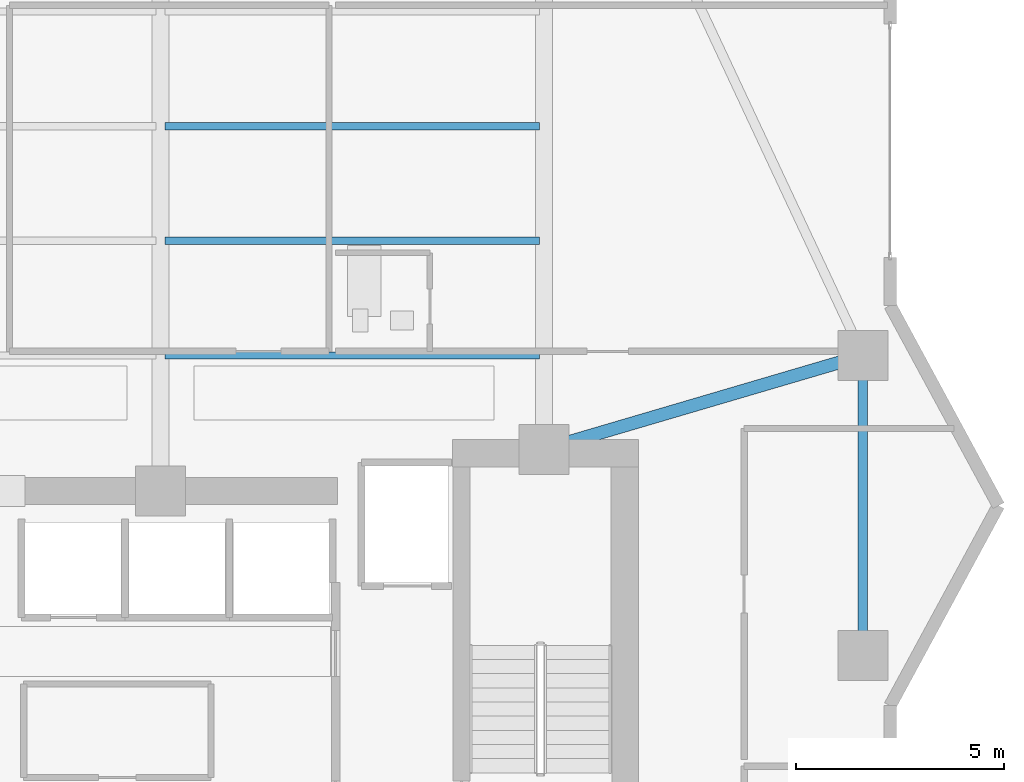
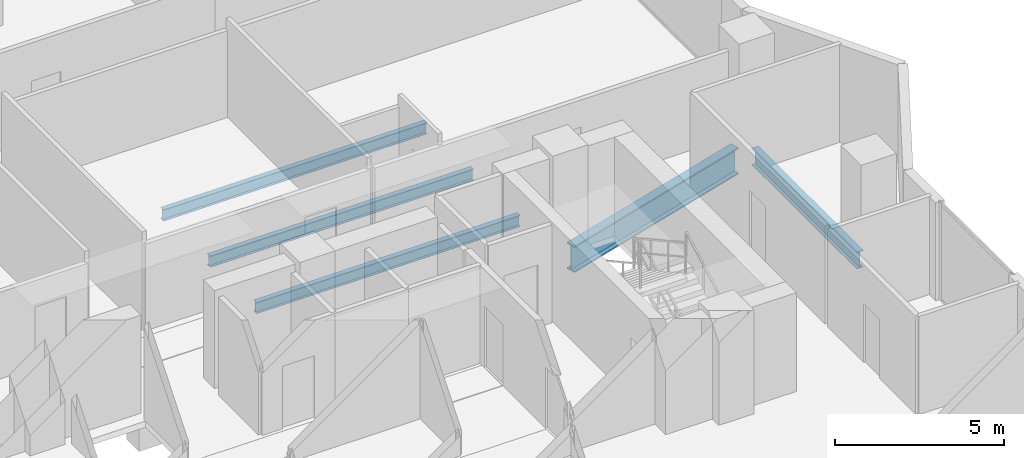
# One storey, part 14 of 32: 5 beams.
"""IFC4 building model written with IfcOpenShell, lengths in metres."""

from ifc_helpers import new_model, si_unit, direction, frame, origin, origin_2d, place, context, subcontext, project, spatial, i_section, extrude, material, material_profile, profile_set, type_object, element, save


model = new_model("IFC4")

# Units and contexts
model_context = context("Model", 3, precision=1e-05, world=origin(), true_north=direction((0.0, 1.0)))
body_context = subcontext(model_context, "Body", "Model", "MODEL_VIEW")
ifc_project = project(units=[si_unit("LENGTHUNIT", "METRE"), si_unit("AREAUNIT", "SQUARE_METRE"), si_unit("VOLUMEUNIT", "CUBIC_METRE"), si_unit("PLANEANGLEUNIT", "RADIAN"), si_unit("MASSUNIT", "GRAM", prefix="KILO")], contexts=[model_context])

# Site, building, storey
site_placement = place(None, origin())
site = spatial("IfcSite", under=ifc_project, at=site_placement, CompositionType="ELEMENT")
building_placement = place(site_placement, origin())
building = spatial("IfcBuilding", under=site, at=building_placement, Name="Zuhayl Quay Hotel", CompositionType="ELEMENT")
storey_placement = place(building_placement, frame((0.0, 0.0, 218.64990234375)))
storey = spatial("IfcBuildingStorey", under=building, at=storey_placement, Name="L55", CompositionType="ELEMENT", Elevation=218.64990234375)

# Beams
ifc_material = material(Name="Steel ASTM A992 Grade 50", Category="steel")
ifc_material_profile_1 = material_profile(ifc_material, i_section(OverallWidth=0.22802734375, OverallDepth=0.60693359375, WebThickness=0.01123046875, FlangeThickness=0.017333984375, at=origin_2d()), Name="W24X76")
ifc_profile_set_1 = profile_set([ifc_material_profile_1], Name="Steel ASTM A992 Grade 50")
beam_type_1 = type_object("IfcBeamType", Name="BM_B3_W24X76", PredefinedType="BEAM", material=ifc_profile_set_1)
beam_1_placement = place(storey_placement, frame((21.449951171875, 9.89990234375, -0.5234375), z_axis=(0.0, 1.0, 0.0), x_axis=(-1.0, 0.0, 0.0)))
element("IfcBeam", 1, at=beam_1_placement, inside=storey, type_object=beam_type_1, Name="L55 Floor Beam RG_L55_05", PredefinedType="BEAM", context=body_context, shape_type="SweptSolid", body=[
    extrude(i_section(OverallWidth=0.22802734375, OverallDepth=0.60693359375, WebThickness=0.01123046875, FlangeThickness=0.017333984375, at=origin_2d()), origin(), (0.0, 0.0, 1.0), 6.2001953125),
])
ifc_material_profile_2 = material_profile(ifc_material, i_section(OverallWidth=0.177978515625, OverallDepth=0.406005859375, WebThickness=0.0078125, FlangeThickness=0.0126953125, at=origin_2d()), Name="W16X40")
ifc_profile_set_2 = profile_set([ifc_material_profile_2], Name="Steel ASTM A992 Grade 50")
beam_type_2 = type_object("IfcBeamType", Name="BM_J2B_W16X40", PredefinedType="JOIST", material=ifc_profile_set_2)
for number, where, z_axis, x_axis, name in (
    (2, (4.7060546875, 16.60009765625, -0.4228515625), (1.0, 0.0, 0.0), (0.0, 1.0, 0.0), "L55 Floor Beam FJ_L55_1_3"),
    (3, (4.7060546875, 19.35009765625, -0.4228515625), (1.0, 0.0, 0.0), (0.0, 1.0, 0.0), "L55 Floor Beam FJ_L55_2_3"),
    (4, (4.7060546875, 22.10009765625, -0.4228515625), (1.0, 0.0, 0.0), (0.0, 1.0, 0.0), "L55 Floor Beam FJ_L55_3_3"),
):
    element("IfcBeam", number, at=place(storey_placement, frame(where, z_axis=z_axis, x_axis=x_axis)), inside=storey, type_object=beam_type_2, Name=name, PredefinedType="JOIST", context=body_context, shape_type="SweptSolid", body=[
        extrude(i_section(OverallWidth=0.177978515625, OverallDepth=0.406005859375, WebThickness=0.0078125, FlangeThickness=0.0126953125, at=origin_2d()), origin(), (0.0, 0.0, 1.0), 8.988037109375),
    ])
ifc_material_profile_3 = material_profile(ifc_material, i_section(OverallWidth=0.31005859375, OverallDepth=0.949951171875, WebThickness=0.0244140625, FlangeThickness=0.0439453125, at=origin_2d()), Name="W36X256")
ifc_profile_set_3 = profile_set([ifc_material_profile_3], Name="Steel ASTM A992 Grade 50")
beam_type_3 = type_object("IfcBeamType", Name="BM_PG1_W36X256", PredefinedType="BEAM", material=ifc_profile_set_3)
beam_2_placement = place(storey_placement, frame((14.231689453125, 14.47705078125, -0.69482421875), z_axis=(0.959364948093, 0.282168205812, 0.0), x_axis=(-0.282168205812, 0.959364948093, 0.0)))
element("IfcBeam", 5, at=beam_2_placement, inside=storey, type_object=beam_type_3, Name="L55 Floor Beam FG_E_L55_2", PredefinedType="BEAM", context=body_context, shape_type="SweptSolid", body=[
    extrude(i_section(OverallWidth=0.31005859375, OverallDepth=0.949951171875, WebThickness=0.0244140625, FlangeThickness=0.0439453125, at=origin_2d()), origin(), (0.0, 0.0, 1.0), 7.02392578125),
])

save(model, "model.ifc")
